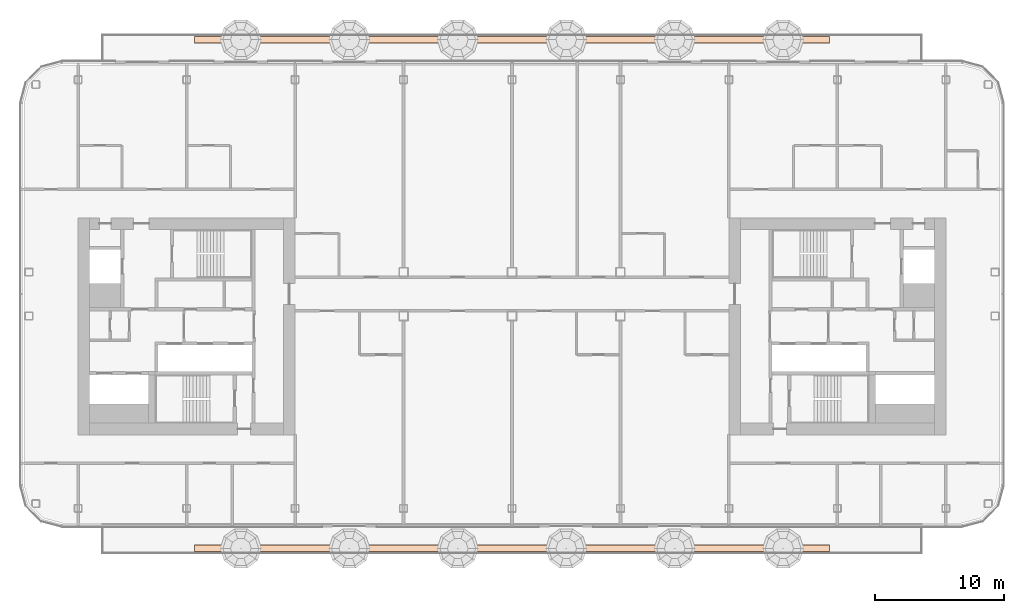
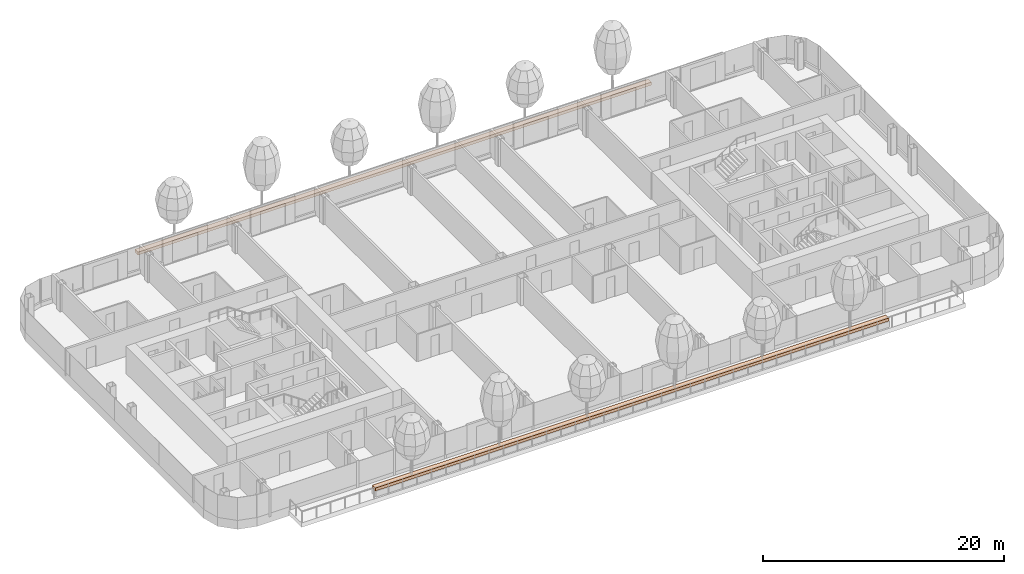
# One storey, part 26 of 28: 2 geographic elements.
"""IFC4 building model written with IfcOpenShell, lengths in metres."""

import ifcopenshell
import ifcopenshell.guid

model = None  # the IFC model being written
_history = None  # IfcOwnerHistory: only IFC2X3 demands one
_inside = {}  # id of a spatial element -> (the spatial element, [elements in it])
_under = {}  # id of a project, library or spatial element -> (it, [spatial elements below it])
_declared = {}  # id of a project -> (the project, [libraries it declares])
_typed = {}  # id of a type object -> (the type object, [elements of that type])
_made_of = {}  # id of a material, layer set ... -> (it, [elements and type objects made of it])


def new_model(schema):
    """Start an empty IFC model of exactly this schema.

    Asked for "IFC4X3", IfcOpenShell would pick the latest addendum, in which some entities
    have other attributes; the version numbers below select the first issue.
    IFC2X3 requires an IfcOwnerHistory on every rooted entity: one is made here for all.
    """
    global model, _history
    if schema == "IFC4X3":
        model = ifcopenshell.file(schema_version=(4, 3, 0, 0))
    else:
        model = ifcopenshell.file(schema=schema)
    _inside.clear()
    _under.clear()
    _declared.clear()
    _typed.clear()
    _made_of.clear()
    _history = None
    if model.schema == "IFC2X3":
        org = make("IfcOrganization", Name="unknown")
        user = make(
            "IfcPersonAndOrganization",
            ThePerson=make("IfcPerson", FamilyName="unknown"),
            TheOrganization=org,
        )
        app = make(
            "IfcApplication",
            ApplicationDeveloper=org,
            Version="unknown",
            ApplicationFullName="unknown",
            ApplicationIdentifier="unknown",
        )
        _history = make(
            "IfcOwnerHistory",
            OwningUser=user,
            OwningApplication=app,
            ChangeAction="ADDED",
            CreationDate=0,
        )
    return model


def make(cls, **values):
    """One entity of the class cls with the attributes given. An attribute that is None is left unset."""
    return model.create_entity(
        cls, **{name: value for name, value in values.items() if value is not None}
    )


def rooted(cls, **values):
    """An entity with a GlobalId (a new one), such as an element, a storey or a relation."""
    return make(cls, GlobalId=ifcopenshell.guid.new(), OwnerHistory=_history, **values)


def si_unit(unit_type, name, prefix=None):
    """IfcSIUnit, for example si_unit("LENGTHUNIT", "METRE", prefix="MILLI")."""
    return make("IfcSIUnit", UnitType=unit_type, Prefix=prefix, Name=name)


def assignment(units):
    """IfcUnitAssignment: the units of a project."""
    return None if units is None else make("IfcUnitAssignment", Units=units)


def point(xyz):
    """IfcCartesianPoint."""
    return None if xyz is None else make("IfcCartesianPoint", Coordinates=xyz)


def direction(xyz):
    """IfcDirection."""
    return None if xyz is None else make("IfcDirection", DirectionRatios=xyz)


def frame(location, z_axis=None, x_axis=None):
    """IfcAxis2Placement3D, a coordinate frame: its origin and axes. An axis left out is left unset."""
    return make(
        "IfcAxis2Placement3D",
        Location=point(location),
        Axis=direction(z_axis),
        RefDirection=direction(x_axis),
    )


def frame_2d(location, x_axis=None):
    """IfcAxis2Placement2D, a coordinate frame in the plane: its origin and x axis."""
    return make(
        "IfcAxis2Placement2D", Location=point(location), RefDirection=direction(x_axis)
    )


def origin():
    """The frame at (0, 0, 0) with its axes left unset."""
    return frame((0.0, 0.0, 0.0))


def origin_2d():
    """The frame at (0, 0) in the plane with its x axis left unset."""
    return frame_2d((0.0, 0.0))


def place(relative_to, where):
    """IfcLocalPlacement: puts the frame where relative to a parent placement (None: the world)."""
    return make(
        "IfcLocalPlacement", PlacementRelTo=relative_to, RelativePlacement=where
    )


def context(
    kind, dimensions, precision=None, world=None, true_north=None, identifier=None
):
    """IfcGeometricRepresentationContext, for example the 3D "Model" context."""
    return make(
        "IfcGeometricRepresentationContext",
        ContextIdentifier=identifier,
        ContextType=kind,
        CoordinateSpaceDimension=dimensions,
        Precision=precision,
        WorldCoordinateSystem=world,
        TrueNorth=true_north,
    )


def subcontext(parent, identifier, kind, view, scale=None):
    """IfcGeometricRepresentationSubContext, for example "Body" below "Model"."""
    return make(
        "IfcGeometricRepresentationSubContext",
        ContextIdentifier=identifier,
        ContextType=kind,
        ParentContext=parent,
        TargetScale=scale,
        TargetView=view,
    )


def project(units=None, contexts=None):
    """IfcProject with its units and contexts."""
    return rooted(
        "IfcProject",
        Name="project",
        RepresentationContexts=contexts,
        UnitsInContext=assignment(units),
    )


def spatial(cls, under=None, at=None, **own):
    """A site, building, storey or space (cls), placed at a placement, below another one or the project."""
    s = rooted(cls, ObjectPlacement=at, **own)
    if under is not None:
        _under.setdefault(under.id(), (under, []))[1].append(s)
    return s


def profile(cls, at=None, kind="AREA", **sizes):
    """A parametric profile (cls). Its sizes go by their IFC names, for example OverallWidth=200.0."""
    return make(cls, ProfileType=kind, Position=at, **sizes)


def rectangle(**sizes):
    """IfcRectangleProfileDef."""
    return profile("IfcRectangleProfileDef", **sizes)


def extrude(swept, where, along, depth):
    """IfcExtrudedAreaSolid: the profile swept, set in the frame where, extruded along a direction by depth."""
    return make(
        "IfcExtrudedAreaSolid",
        SweptArea=swept,
        Position=where,
        ExtrudedDirection=direction(along),
        Depth=depth,
    )


def shape(context_of_items, identifier, shape_type, items):
    """IfcShapeRepresentation: the items that make up one representation, for example the "Body"."""
    return make(
        "IfcShapeRepresentation",
        ContextOfItems=context_of_items,
        RepresentationIdentifier=identifier,
        RepresentationType=shape_type,
        Items=items,
    )


def material(Name=None, Category=None):
    """IfcMaterial."""
    return make("IfcMaterial", Name=Name, Category=Category)


def made_of(thing, what):
    """Note that an element or type object is made of a material, layer set ...; save() writes the relation."""
    if what is not None:
        _made_of.setdefault(what.id(), (what, []))[1].append(thing)
    return thing


def type_object(cls, material=None, **own):
    """A type object (cls), such as IfcWallType, which elements share."""
    return made_of(rooted(cls, **own), material)


def element(
    cls,
    number,
    at=None,
    inside=None,
    cuts=None,
    type_object=None,
    material=None,
    context=None,
    identifier="Body",
    shape_type=None,
    held_by="IfcProductDefinitionShape",
    body=None,
    shapes=None,
    **own,
):
    """One element of the class cls, such as IfcWall. Its Tag is "e" and its number.

    at: its placement. inside: the storey or other place that contains it. cuts: it is an
    opening in that element (IfcRelVoidsElement). A single representation is given by context,
    identifier, shape_type and body (its items); several are given by shapes. held_by: the class
    of the entity that holds the representations. save() writes the other relations.
    """
    e = rooted(cls, Tag="e%d" % number, ObjectPlacement=at, **own)
    if body is not None:
        shapes = [shape(context, identifier, shape_type, body)]
    if shapes is not None:
        e.Representation = make(held_by, Representations=shapes)
    if inside is not None:
        _inside.setdefault(inside.id(), (inside, []))[1].append(e)
    if cuts is not None:
        rooted(
            "IfcRelVoidsElement", RelatingBuildingElement=cuts, RelatedOpeningElement=e
        )
    if type_object is not None:
        _typed.setdefault(type_object.id(), (type_object, []))[1].append(e)
    return made_of(e, material)


def aggregate(whole, parts):
    """IfcRelAggregates: a whole, such as a stair, and the parts it consists of."""
    return rooted("IfcRelAggregates", RelatingObject=whole, RelatedObjects=parts)


def save(model, path):
    """Write the relations noted so far, then the file.

    IfcRelAggregates (storeys below a building ...), IfcRelContainedInSpatialStructure (elements
    in a storey), IfcRelDefinesByType, IfcRelAssociatesMaterial and IfcRelDeclares: one each for
    every whole, place, type object, material and project.
    """
    for whole, parts in _under.values():
        aggregate(whole, parts)
    for where, things in _inside.values():
        rooted(
            "IfcRelContainedInSpatialStructure",
            RelatedElements=things,
            RelatingStructure=where,
        )
    for kind, things in _typed.values():
        rooted("IfcRelDefinesByType", RelatedObjects=things, RelatingType=kind)
    for what, things in _made_of.values():
        rooted("IfcRelAssociatesMaterial", RelatedObjects=things, RelatingMaterial=what)
    for by, libraries in _declared.values():
        rooted("IfcRelDeclares", RelatingContext=by, RelatedDefinitions=libraries)
    model.write(path)


model = new_model("IFC4")

# Units and contexts
model_context = context("Model", 3, precision=1e-05, world=origin(), true_north=direction((0.0, 1.0)))
body_context = subcontext(model_context, "Body", "Model", "MODEL_VIEW")
ifc_project = project(units=[si_unit("LENGTHUNIT", "METRE"), si_unit("AREAUNIT", "SQUARE_METRE"), si_unit("VOLUMEUNIT", "CUBIC_METRE"), si_unit("PLANEANGLEUNIT", "RADIAN"), si_unit("MASSUNIT", "GRAM", prefix="KILO")], contexts=[model_context])

# Site, building, storey
site_placement = place(None, origin())
site = spatial("IfcSite", under=ifc_project, at=site_placement, CompositionType="ELEMENT")
building_placement = place(site_placement, origin())
building = spatial("IfcBuilding", under=site, at=building_placement, Name="Hakoniwa Tower and Hamabe Station Hall", CompositionType="ELEMENT")
storey_placement = place(building_placement, frame((0.0, 0.0, 218.60009765625)))
storey = spatial("IfcBuildingStorey", under=building, at=storey_placement, Name="L62", CompositionType="ELEMENT", Elevation=218.60009765625)

# Geographic elements
ifc_material = material(Name="Shrub planting")
geographic_element_type = type_object("IfcGeographicElementType", Name="Shrub planting bed 500x300", PredefinedType="USERDEFINED", material=ifc_material)
for number, where, z_axis, x_axis, name in (
    (1, (0.0, 22.199951171875, 0.60009765625), (0.0, 0.0, 1.0), (1.0, 0.0, 0.0), "Shrub planting bed 500x300"),
    (2, (0.0, -17.199951171875, 0.60009765625), (0.0, 0.0, 1.0), (1.0, 0.0, 0.0), "Shrub planting bed 500x300"),
):
    element("IfcGeographicElement", number, at=place(storey_placement, frame(where, z_axis=z_axis, x_axis=x_axis)), inside=storey, type_object=geographic_element_type, Name=name, ObjectType="PLANTING", PredefinedType="USERDEFINED", context=body_context, shape_type="SweptSolid", body=[
        extrude(rectangle(XDim=49.199951171875, YDim=0.5, at=origin_2d()), origin(), (0.0, 0.0, 1.0), 0.300048828125),
    ])

save(model, "model.ifc")
